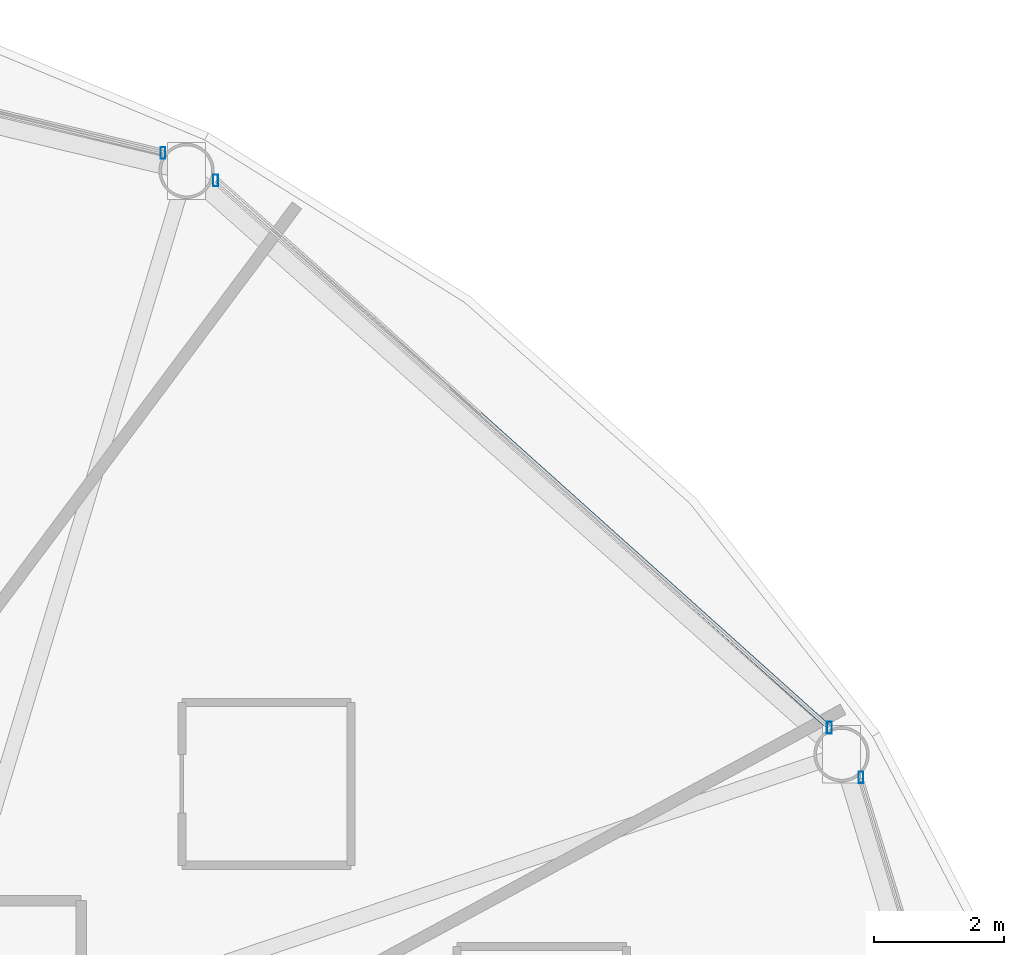
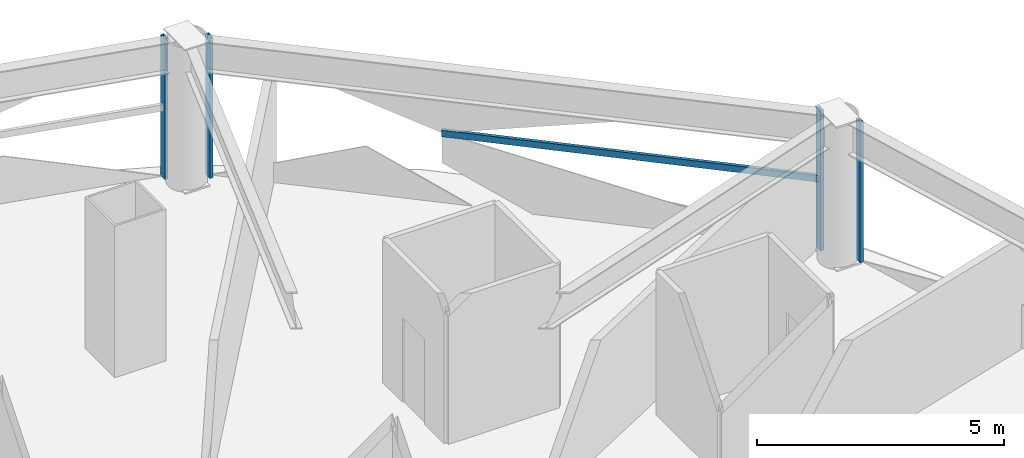
# One storey, part 19 of 30: 5 members, 3 elements without a shape of their own.
"""IFC4 building model written with IfcOpenShell, lengths in metres."""

from ifc_helpers import new_model, si_unit, direction, frame, origin, origin_2d, place, context, subcontext, project, spatial, hollow_rectangle, extrude, material, layer, layer_set, material_profile, profile_set, type_object, element, aggregate, save


model = new_model("IFC4")

# Units and contexts
model_context = context("Model", 3, precision=1e-05, world=origin(), true_north=direction((0.0, 1.0)))
body_context = subcontext(model_context, "Body", "Model", "MODEL_VIEW")
ifc_project = project(units=[si_unit("LENGTHUNIT", "METRE"), si_unit("AREAUNIT", "SQUARE_METRE"), si_unit("VOLUMEUNIT", "CUBIC_METRE"), si_unit("PLANEANGLEUNIT", "RADIAN"), si_unit("MASSUNIT", "GRAM", prefix="KILO")], contexts=[model_context])

# Site, building, storey
site_placement = place(None, origin())
site = spatial("IfcSite", under=ifc_project, at=site_placement, CompositionType="ELEMENT")
building_placement = place(site_placement, origin())
building = spatial("IfcBuilding", under=site, at=building_placement, Name="Vantalir Tower", CompositionType="ELEMENT")
storey_placement = place(building_placement, frame((0.0, 0.0, 83.25)))
storey = spatial("IfcBuildingStorey", under=building, at=storey_placement, Name="L20", CompositionType="ELEMENT", Elevation=83.25)

# Curtain wall, member
ifc_material_1 = material(Name="Champagne-silver PVDF aluminium and double-silver Low-E glass", Category="aluminium")
ifc_layer = layer(ifc_material_1, 0.18994140625)
ifc_layer_set = layer_set([ifc_layer], Name="Champagne-silver PVDF aluminium and double-silver Low-E glass")
curtain_wall_type = type_object("IfcCurtainWallType", Name="CW-DIAMOND-Z1", PredefinedType="USERDEFINED", material=ifc_layer_set)
curtain_wall_1_placement = place(storey_placement, origin())
curtain_wall_1 = element("IfcCurtainWall", 1, at=curtain_wall_1_placement, inside=storey, type_object=curtain_wall_type, Name="L20 Quilted Pyramid-Diamond Curtain Wall S01", ObjectType="UNITISED CURTAIN WALL", PredefinedType="USERDEFINED")
ifc_material_2 = material(Name="Champagne-silver PVDF aluminium 6063-T6", Category="aluminium")
ifc_material_profile_1 = material_profile(ifc_material_2, hollow_rectangle(XDim=0.074951171875, YDim=0.179931640625, WallThickness=0.00390625, at=origin_2d()), Name="Champagne-silver PVDF aluminium 6063-T6")
ifc_profile_set_1 = profile_set([ifc_material_profile_1], Name="Champagne-silver PVDF aluminium 6063-T6")
member_type_1 = type_object("IfcMemberType", Name="CWM-180x75", PredefinedType="MULLION", material=ifc_profile_set_1)
member_1_placement = place(storey_placement, frame((55.614990234375, 36.89208984375, 0.044921875), z_axis=(0.0, 0.0, 1.0), x_axis=(1.0, 0.0, 0.0)))
member_1 = element("IfcMember", 2, at=member_1_placement, type_object=member_type_1, Name="CW-L20-S01 Mullion 2", PredefinedType="MULLION", context=body_context, shape_type="SweptSolid", body=[
    extrude(hollow_rectangle(XDim=0.074951171875, YDim=0.179931640625, WallThickness=0.00390625, at=origin_2d()), origin(), (0.0, 0.0, 1.0), 3.47998046875),
])
aggregate(curtain_wall_1, [member_1])

# Curtain wall, members
curtain_wall_2_placement = place(storey_placement, origin())
curtain_wall_2 = element("IfcCurtainWall", 3, at=curtain_wall_2_placement, inside=storey, type_object=curtain_wall_type, Name="L20 Quilted Pyramid-Diamond Curtain Wall S02", ObjectType="UNITISED CURTAIN WALL", PredefinedType="USERDEFINED")
member_2_placement = place(storey_placement, frame((55.12890625, 37.655029296875, 0.044921875), z_axis=(0.0, 0.0, 1.0), x_axis=(1.0, 0.0, 0.0)))
member_2 = element("IfcMember", 4, at=member_2_placement, type_object=member_type_1, Name="CW-L20-S02 Mullion 1", PredefinedType="MULLION", context=body_context, shape_type="SweptSolid", body=[
    extrude(hollow_rectangle(XDim=0.074951171875, YDim=0.179931640625, WallThickness=0.00390625, at=origin_2d()), origin(), (0.0, 0.0, 1.0), 3.47998046875),
])
member_3_placement = place(storey_placement, frame((45.696044921875, 46.06494140625, 0.044921875), z_axis=(0.0, 0.0, 1.0), x_axis=(1.0, 0.0, 0.0)))
member_3 = element("IfcMember", 5, at=member_3_placement, type_object=member_type_1, Name="CW-L20-S02 Mullion 2", PredefinedType="MULLION", context=body_context, shape_type="SweptSolid", body=[
    extrude(hollow_rectangle(XDim=0.074951171875, YDim=0.179931640625, WallThickness=0.00390625, at=origin_2d()), origin(), (0.0, 0.0, 1.0), 3.47998046875),
])

# Curtain wall, member
curtain_wall_3_placement = place(storey_placement, origin())
curtain_wall_3 = element("IfcCurtainWall", 6, at=curtain_wall_3_placement, inside=storey, type_object=curtain_wall_type, Name="L20 Quilted Pyramid-Diamond Curtain Wall S03", ObjectType="UNITISED CURTAIN WALL", PredefinedType="USERDEFINED")
member_4_placement = place(storey_placement, frame((44.887939453125, 46.487060546875, 0.044921875), z_axis=(0.0, 0.0, 1.0), x_axis=(1.0, 0.0, 0.0)))
member_4 = element("IfcMember", 7, at=member_4_placement, type_object=member_type_1, Name="CW-L20-S03 Mullion 1", PredefinedType="MULLION", context=body_context, shape_type="SweptSolid", body=[
    extrude(hollow_rectangle(XDim=0.074951171875, YDim=0.179931640625, WallThickness=0.00390625, at=origin_2d()), origin(), (0.0, 0.0, 1.0), 3.47998046875),
])
aggregate(curtain_wall_3, [member_4])

# Member
ifc_material_profile_2 = material_profile(ifc_material_2, hollow_rectangle(XDim=0.074951171875, YDim=0.159912109375, WallThickness=0.00390625, at=origin_2d()), Name="Champagne-silver PVDF aluminium 6063-T6")
ifc_profile_set_2 = profile_set([ifc_material_profile_2], Name="Champagne-silver PVDF aluminium 6063-T6")
member_type_2 = type_object("IfcMemberType", Name="CWT-160x75", PredefinedType="USERDEFINED", material=ifc_profile_set_2)
member_5_placement = place(storey_placement, frame((55.12890625, 37.655029296875, 1.784912109375), z_axis=(-0.744413456734, 0.667718956922, 0.0), x_axis=(-0.667718956922, -0.744413456734, 0.0)))
member_5 = element("IfcMember", 8, at=member_5_placement, type_object=member_type_2, Name="CW-L20-S02 Pyramid Fold Ridge Transom", ObjectType="TRANSOM", PredefinedType="USERDEFINED", context=body_context, shape_type="SweptSolid", body=[
    extrude(hollow_rectangle(XDim=0.074951171875, YDim=0.159912109375, WallThickness=0.00390625, at=origin_2d()), origin(), (0.0, 0.0, 1.0), 7.833984375),
])

aggregate(curtain_wall_2, [member_2, member_3, member_5])

save(model, "model.ifc")
